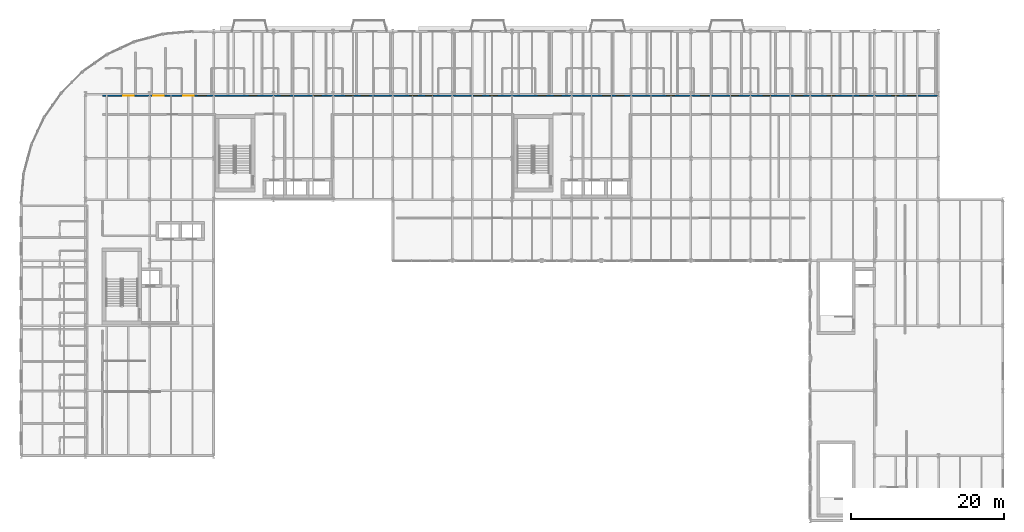
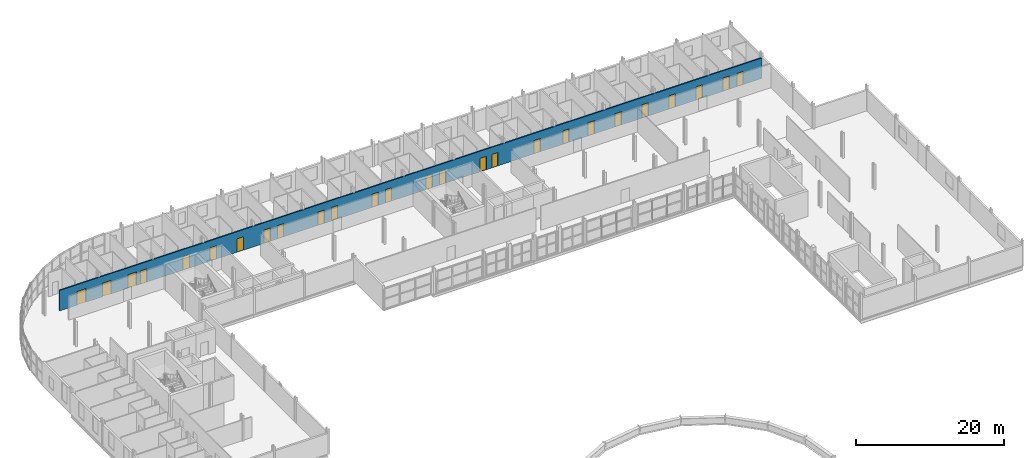
# One storey, part 36 of 45: 26 doors, 1 wall, 26 openings.
"""IFC4 building model written with IfcOpenShell, lengths in metres."""

from ifc_helpers import new_model, si_unit, direction, frame, frame_2d, origin, place, context, subcontext, project, spatial, rectangle, extrude, material, layer, layer_set, type_object, element, fill, save


model = new_model("IFC4")

# Units and contexts
model_context = context("Model", 3, precision=1e-05, world=origin(), true_north=direction((0.0, 1.0)))
body_context = subcontext(model_context, "Body", "Model", "MODEL_VIEW")
ifc_project = project(units=[si_unit("LENGTHUNIT", "METRE"), si_unit("AREAUNIT", "SQUARE_METRE"), si_unit("VOLUMEUNIT", "CUBIC_METRE"), si_unit("PLANEANGLEUNIT", "RADIAN"), si_unit("MASSUNIT", "GRAM", prefix="KILO")], contexts=[model_context])

# Site, building, storey
site_placement = place(None, origin())
site = spatial("IfcSite", under=ifc_project, at=site_placement, CompositionType="ELEMENT")
building_placement = place(site_placement, origin())
building = spatial("IfcBuilding", under=site, at=building_placement, Name="Sefraquen Railside Congress Hotel", CompositionType="ELEMENT")
storey_placement = place(building_placement, frame((0.0, 0.0, 20.39990234375)))
storey = spatial("IfcBuildingStorey", under=building, at=storey_placement, Name="L04", CompositionType="ELEMENT", Elevation=20.39990234375)

# Wall, openings, doors
ifc_material_1 = material(Name="Acoustic gypsum board on metal stud", Category="gypsum")
ifc_layer = layer(ifc_material_1, 0.199951171875)
ifc_layer_set = layer_set([ifc_layer], Name="Acoustic gypsum board on metal stud")
wall_type = type_object("IfcWallType", Name="TW-PW-200", PredefinedType="PARTITIONING", material=ifc_layer_set)
wall_placement = place(storey_placement, frame((10.64990234375, 109.60009765625, 0.0), z_axis=(0.0, 0.0, 1.0), x_axis=(1.0, 0.0, 0.0)))
wall = element("IfcWall", 1, at=wall_placement, inside=storey, type_object=wall_type, Name="Hotel L04 north corridor fire-rated partition", PredefinedType="PARTITIONING", context=body_context, shape_type="SweptSolid", body=[
    extrude(rectangle(XDim=109.210205078125, YDim=0.199951171875, at=frame_2d((54.60498046875, 0.0))), origin(), (0.0, 0.0, 1.0), 3.380126953125),
])
opening_1_placement = place(wall_placement, frame((12.534912109375, 0.0, 0.0)))
opening_1 = element("IfcOpeningElement", 2, at=opening_1_placement, cuts=wall, Name="Opening GD-01", PredefinedType="OPENING", context=body_context, shape_type="SweptSolid", body=[
    extrude(rectangle(XDim=1.02001953125, YDim=2.199951171875, at=frame_2d((0.510009765625, 1.10009765625))), frame((0.0, 0.10986328125, 0.0), z_axis=(0.0, -1.0, 0.0), x_axis=(1.0, 0.0, 0.0)), (0.0, 0.0, 1.0), 0.219970703125),
])
opening_2_placement = place(wall_placement, frame((19.175048828125, 0.0, 0.0)))
opening_2 = element("IfcOpeningElement", 3, at=opening_2_placement, cuts=wall, Name="Opening GD-01", PredefinedType="OPENING", context=body_context, shape_type="SweptSolid", body=[
    extrude(rectangle(XDim=1.02001953125, YDim=2.199951171875, at=frame_2d((0.510009765625, 1.10009765625))), frame((0.0, 0.10986328125, 0.0), z_axis=(0.0, -1.0, 0.0), x_axis=(1.0, 0.0, 0.0)), (0.0, 0.0, 1.0), 0.219970703125),
])
opening_3_placement = place(wall_placement, frame((23.375, 0.0, 0.0)))
opening_3 = element("IfcOpeningElement", 4, at=opening_3_placement, cuts=wall, Name="Opening GD-01", PredefinedType="OPENING", context=body_context, shape_type="SweptSolid", body=[
    extrude(rectangle(XDim=1.02001953125, YDim=2.199951171875, at=frame_2d((0.510009765625, 1.10009765625))), frame((0.0, 0.10986328125, 0.0), z_axis=(0.0, -1.0, 0.0), x_axis=(1.0, 0.0, 0.0)), (0.0, 0.0, 1.0), 0.219970703125),
])
opening_4_placement = place(wall_placement, frame((27.574951171875, 0.0, 0.0)))
opening_4 = element("IfcOpeningElement", 5, at=opening_4_placement, cuts=wall, Name="Opening GD-01", PredefinedType="OPENING", context=body_context, shape_type="SweptSolid", body=[
    extrude(rectangle(XDim=1.02001953125, YDim=2.199951171875, at=frame_2d((0.510009765625, 1.10009765625))), frame((0.0, 0.10986328125, 0.0), z_axis=(0.0, -1.0, 0.0), x_axis=(1.0, 0.0, 0.0)), (0.0, 0.0, 1.0), 0.219970703125),
])
opening_5_placement = place(wall_placement, frame((31.804931640625, 0.0, 0.0)))
opening_5 = element("IfcOpeningElement", 6, at=opening_5_placement, cuts=wall, Name="Opening GD-02", PredefinedType="OPENING", context=body_context, shape_type="SweptSolid", body=[
    extrude(rectangle(XDim=0.9599609375, YDim=2.199951171875, at=frame_2d((0.47998046875, 1.10009765625))), frame((0.0, 0.10986328125, 0.0), z_axis=(0.0, -1.0, 0.0), x_axis=(1.0, 0.0, 0.0)), (0.0, 0.0, 1.0), 0.219970703125),
])
opening_6_placement = place(wall_placement, frame((33.85498046875, 0.0, 0.0)))
opening_6 = element("IfcOpeningElement", 7, at=opening_6_placement, cuts=wall, Name="Opening GD-02", PredefinedType="OPENING", context=body_context, shape_type="SweptSolid", body=[
    extrude(rectangle(XDim=0.9599609375, YDim=2.199951171875, at=frame_2d((0.47998046875, 1.10009765625))), frame((0.0, 0.10986328125, 0.0), z_axis=(0.0, -1.0, 0.0), x_axis=(1.0, 0.0, 0.0)), (0.0, 0.0, 1.0), 0.219970703125),
])
opening_7_placement = place(wall_placement, frame((40.205078125, 0.0, 0.0)))
opening_7 = element("IfcOpeningElement", 8, at=opening_7_placement, cuts=wall, Name="Opening GD-02", PredefinedType="OPENING", context=body_context, shape_type="SweptSolid", body=[
    extrude(rectangle(XDim=0.9599609375, YDim=2.199951171875, at=frame_2d((0.47998046875, 1.10009765625))), frame((0.0, 0.10986328125, 0.0), z_axis=(0.0, -1.0, 0.0), x_axis=(1.0, 0.0, 0.0)), (0.0, 0.0, 1.0), 0.219970703125),
])
opening_8_placement = place(wall_placement, frame((42.2548828125, 0.0, 0.0)))
opening_8 = element("IfcOpeningElement", 9, at=opening_8_placement, cuts=wall, Name="Opening GD-02", PredefinedType="OPENING", context=body_context, shape_type="SweptSolid", body=[
    extrude(rectangle(XDim=0.9599609375, YDim=2.199951171875, at=frame_2d((0.47998046875, 1.10009765625))), frame((0.0, 0.10986328125, 0.0), z_axis=(0.0, -1.0, 0.0), x_axis=(1.0, 0.0, 0.0)), (0.0, 0.0, 1.0), 0.219970703125),
])
opening_9_placement = place(wall_placement, frame((48.60498046875, 0.0, 0.0)))
opening_9 = element("IfcOpeningElement", 10, at=opening_9_placement, cuts=wall, Name="Opening GD-02", PredefinedType="OPENING", context=body_context, shape_type="SweptSolid", body=[
    extrude(rectangle(XDim=0.9599609375, YDim=2.199951171875, at=frame_2d((0.47998046875, 1.10009765625))), frame((0.0, 0.10986328125, 0.0), z_axis=(0.0, -1.0, 0.0), x_axis=(1.0, 0.0, 0.0)), (0.0, 0.0, 1.0), 0.219970703125),
])
opening_10_placement = place(wall_placement, frame((50.655029296875, 0.0, 0.0)))
opening_10 = element("IfcOpeningElement", 11, at=opening_10_placement, cuts=wall, Name="Opening GD-02", PredefinedType="OPENING", context=body_context, shape_type="SweptSolid", body=[
    extrude(rectangle(XDim=0.9599609375, YDim=2.199951171875, at=frame_2d((0.47998046875, 1.10009765625))), frame((0.0, 0.10986328125, 0.0), z_axis=(0.0, -1.0, 0.0), x_axis=(1.0, 0.0, 0.0)), (0.0, 0.0, 1.0), 0.219970703125),
])
opening_11_placement = place(wall_placement, frame((57.0048828125, 0.0, 0.0)))
opening_11 = element("IfcOpeningElement", 12, at=opening_11_placement, cuts=wall, Name="Opening GD-02", PredefinedType="OPENING", context=body_context, shape_type="SweptSolid", body=[
    extrude(rectangle(XDim=0.9599609375, YDim=2.199951171875, at=frame_2d((0.47998046875, 1.10009765625))), frame((0.0, 0.10986328125, 0.0), z_axis=(0.0, -1.0, 0.0), x_axis=(1.0, 0.0, 0.0)), (0.0, 0.0, 1.0), 0.219970703125),
])
opening_12_placement = place(wall_placement, frame((59.054931640625, 0.0, 0.0)))
opening_12 = element("IfcOpeningElement", 13, at=opening_12_placement, cuts=wall, Name="Opening GD-02", PredefinedType="OPENING", context=body_context, shape_type="SweptSolid", body=[
    extrude(rectangle(XDim=0.9599609375, YDim=2.199951171875, at=frame_2d((0.47998046875, 1.10009765625))), frame((0.0, 0.10986328125, 0.0), z_axis=(0.0, -1.0, 0.0), x_axis=(1.0, 0.0, 0.0)), (0.0, 0.0, 1.0), 0.219970703125),
])
opening_13_placement = place(wall_placement, frame((65.405029296875, 0.0, 0.0)))
opening_13 = element("IfcOpeningElement", 14, at=opening_13_placement, cuts=wall, Name="Opening GD-02", PredefinedType="OPENING", context=body_context, shape_type="SweptSolid", body=[
    extrude(rectangle(XDim=0.9599609375, YDim=2.199951171875, at=frame_2d((0.47998046875, 1.10009765625))), frame((0.0, 0.10986328125, 0.0), z_axis=(0.0, -1.0, 0.0), x_axis=(1.0, 0.0, 0.0)), (0.0, 0.0, 1.0), 0.219970703125),
])
opening_14_placement = place(wall_placement, frame((67.205078125, 0.0, 0.0)))
opening_14 = element("IfcOpeningElement", 15, at=opening_14_placement, cuts=wall, Name="Opening GD-02", PredefinedType="OPENING", context=body_context, shape_type="SweptSolid", body=[
    extrude(rectangle(XDim=0.9599609375, YDim=2.199951171875, at=frame_2d((0.47998046875, 1.10009765625))), frame((0.0, 0.10986328125, 0.0), z_axis=(0.0, -1.0, 0.0), x_axis=(1.0, 0.0, 0.0)), (0.0, 0.0, 1.0), 0.219970703125),
])
opening_15_placement = place(wall_placement, frame((73.804931640625, 0.0, 0.0)))
opening_15 = element("IfcOpeningElement", 16, at=opening_15_placement, cuts=wall, Name="Opening GD-02", PredefinedType="OPENING", context=body_context, shape_type="SweptSolid", body=[
    extrude(rectangle(XDim=0.9599609375, YDim=2.199951171875, at=frame_2d((0.47998046875, 1.10009765625))), frame((0.0, 0.10986328125, 0.0), z_axis=(0.0, -1.0, 0.0), x_axis=(1.0, 0.0, 0.0)), (0.0, 0.0, 1.0), 0.219970703125),
])
opening_16_placement = place(wall_placement, frame((78.2548828125, 0.0, 0.0)))
opening_16 = element("IfcOpeningElement", 17, at=opening_16_placement, cuts=wall, Name="Opening GD-02", PredefinedType="OPENING", context=body_context, shape_type="SweptSolid", body=[
    extrude(rectangle(XDim=0.9599609375, YDim=2.199951171875, at=frame_2d((0.47998046875, 1.10009765625))), frame((0.0, 0.10986328125, 0.0), z_axis=(0.0, -1.0, 0.0), x_axis=(1.0, 0.0, 0.0)), (0.0, 0.0, 1.0), 0.219970703125),
])
opening_17_placement = place(wall_placement, frame((82.205078125, 0.0, 0.0)))
opening_17 = element("IfcOpeningElement", 18, at=opening_17_placement, cuts=wall, Name="Opening GD-02", PredefinedType="OPENING", context=body_context, shape_type="SweptSolid", body=[
    extrude(rectangle(XDim=0.9599609375, YDim=2.199951171875, at=frame_2d((0.47998046875, 1.10009765625))), frame((0.0, 0.10986328125, 0.0), z_axis=(0.0, -1.0, 0.0), x_axis=(1.0, 0.0, 0.0)), (0.0, 0.0, 1.0), 0.219970703125),
])
opening_18_placement = place(wall_placement, frame((86.405029296875, 0.0, 0.0)))
opening_18 = element("IfcOpeningElement", 19, at=opening_18_placement, cuts=wall, Name="Opening GD-02", PredefinedType="OPENING", context=body_context, shape_type="SweptSolid", body=[
    extrude(rectangle(XDim=0.9599609375, YDim=2.199951171875, at=frame_2d((0.47998046875, 1.10009765625))), frame((0.0, 0.10986328125, 0.0), z_axis=(0.0, -1.0, 0.0), x_axis=(1.0, 0.0, 0.0)), (0.0, 0.0, 1.0), 0.219970703125),
])
opening_19_placement = place(wall_placement, frame((90.60498046875, 0.0, 0.0)))
opening_19 = element("IfcOpeningElement", 20, at=opening_19_placement, cuts=wall, Name="Opening GD-02", PredefinedType="OPENING", context=body_context, shape_type="SweptSolid", body=[
    extrude(rectangle(XDim=0.9599609375, YDim=2.199951171875, at=frame_2d((0.47998046875, 1.10009765625))), frame((0.0, 0.10986328125, 0.0), z_axis=(0.0, -1.0, 0.0), x_axis=(1.0, 0.0, 0.0)), (0.0, 0.0, 1.0), 0.219970703125),
])
opening_20_placement = place(wall_placement, frame((94.804931640625, 0.0, 0.0)))
opening_20 = element("IfcOpeningElement", 21, at=opening_20_placement, cuts=wall, Name="Opening GD-02", PredefinedType="OPENING", context=body_context, shape_type="SweptSolid", body=[
    extrude(rectangle(XDim=0.9599609375, YDim=2.199951171875, at=frame_2d((0.47998046875, 1.10009765625))), frame((0.0, 0.10986328125, 0.0), z_axis=(0.0, -1.0, 0.0), x_axis=(1.0, 0.0, 0.0)), (0.0, 0.0, 1.0), 0.219970703125),
])
opening_21_placement = place(wall_placement, frame((99.0048828125, 0.0, 0.0)))
opening_21 = element("IfcOpeningElement", 22, at=opening_21_placement, cuts=wall, Name="Opening GD-02", PredefinedType="OPENING", context=body_context, shape_type="SweptSolid", body=[
    extrude(rectangle(XDim=0.9599609375, YDim=2.199951171875, at=frame_2d((0.47998046875, 1.10009765625))), frame((0.0, 0.10986328125, 0.0), z_axis=(0.0, -1.0, 0.0), x_axis=(1.0, 0.0, 0.0)), (0.0, 0.0, 1.0), 0.219970703125),
])
opening_22_placement = place(wall_placement, frame((103.205078125, 0.0, 0.0)))
opening_22 = element("IfcOpeningElement", 23, at=opening_22_placement, cuts=wall, Name="Opening GD-02", PredefinedType="OPENING", context=body_context, shape_type="SweptSolid", body=[
    extrude(rectangle(XDim=0.9599609375, YDim=2.199951171875, at=frame_2d((0.47998046875, 1.10009765625))), frame((0.0, 0.10986328125, 0.0), z_axis=(0.0, -1.0, 0.0), x_axis=(1.0, 0.0, 0.0)), (0.0, 0.0, 1.0), 0.219970703125),
])
opening_23_placement = place(wall_placement, frame((105.3349609375, 0.0, 0.0)))
opening_23 = element("IfcOpeningElement", 24, at=opening_23_placement, cuts=wall, Name="Opening GD-02", PredefinedType="OPENING", context=body_context, shape_type="SweptSolid", body=[
    extrude(rectangle(XDim=0.9599609375, YDim=2.199951171875, at=frame_2d((0.47998046875, 1.10009765625))), frame((0.0, 0.10986328125, 0.0), z_axis=(0.0, -1.0, 0.0), x_axis=(1.0, 0.0, 0.0)), (0.0, 0.0, 1.0), 0.219970703125),
])
opening_24_placement = place(wall_placement, frame((2.716064453125, 0.0, 0.0)))
opening_24 = element("IfcOpeningElement", 25, at=opening_24_placement, cuts=wall, Name="Opening GD-03", PredefinedType="OPENING", context=body_context, shape_type="SweptSolid", body=[
    extrude(rectangle(XDim=1.35009765625, YDim=2.25, at=frame_2d((0.675048828125, 1.125))), frame((0.0, 0.10986328125, 0.0), z_axis=(0.0, -1.0, 0.0), x_axis=(1.0, 0.0, 0.0)), (0.0, 0.0, 1.0), 0.219970703125),
])
opening_25_placement = place(wall_placement, frame((6.64990234375, 0.0, 0.0)))
opening_25 = element("IfcOpeningElement", 26, at=opening_25_placement, cuts=wall, Name="Opening GD-03", PredefinedType="OPENING", context=body_context, shape_type="SweptSolid", body=[
    extrude(rectangle(XDim=1.35009765625, YDim=2.25, at=frame_2d((0.675048828125, 1.125))), frame((0.0, 0.10986328125, 0.0), z_axis=(0.0, -1.0, 0.0), x_axis=(1.0, 0.0, 0.0)), (0.0, 0.0, 1.0), 0.219970703125),
])
opening_26_placement = place(wall_placement, frame((10.5830078125, 0.0, 0.0)))
opening_26 = element("IfcOpeningElement", 27, at=opening_26_placement, cuts=wall, Name="Opening GD-03", PredefinedType="OPENING", context=body_context, shape_type="SweptSolid", body=[
    extrude(rectangle(XDim=1.35009765625, YDim=2.25, at=frame_2d((0.675048828125, 1.125))), frame((0.0, 0.10986328125, 0.0), z_axis=(0.0, -1.0, 0.0), x_axis=(1.0, 0.0, 0.0)), (0.0, 0.0, 1.0), 0.219970703125),
])
ifc_material_2 = material(Name="Solid Atlas cedar timber fire leaf", Category="wood")
door_type_1 = type_object("IfcDoorType", Name="TD-GD-01", OperationType="NOTDEFINED", PredefinedType="DOOR", material=ifc_material_2)
door_1_placement = place(opening_1_placement, origin())
door_1 = element("IfcDoor", 28, at=door_1_placement, inside=storey, type_object=door_type_1, Name="Guest room entrance fire door RM-001", OperationType="SINGLE_SWING_LEFT", OverallHeight=2.199951171875, OverallWidth=1.02001953125, PredefinedType="DOOR", context=body_context, shape_type="SweptSolid", body=[
    extrude(rectangle(XDim=1.02001953125, YDim=2.199951171875, at=frame_2d((0.510009765625, 1.10009765625))), frame((0.0, 0.02490234375, 0.0), z_axis=(0.0, -1.0, 0.0), x_axis=(1.0, 0.0, 0.0)), (0.0, 0.0, 1.0), 0.050048828125),
])
fill(opening_1, door_1)
door_2_placement = place(opening_2_placement, origin())
door_2 = element("IfcDoor", 29, at=door_2_placement, inside=storey, type_object=door_type_1, Name="Guest room entrance fire door RM-002", OperationType="SINGLE_SWING_LEFT", OverallHeight=2.199951171875, OverallWidth=1.02001953125, PredefinedType="DOOR", context=body_context, shape_type="SweptSolid", body=[
    extrude(rectangle(XDim=1.02001953125, YDim=2.199951171875, at=frame_2d((0.510009765625, 1.10009765625))), frame((0.0, 0.02490234375, 0.0), z_axis=(0.0, -1.0, 0.0), x_axis=(1.0, 0.0, 0.0)), (0.0, 0.0, 1.0), 0.050048828125),
])
fill(opening_2, door_2)
door_3_placement = place(opening_3_placement, origin())
door_3 = element("IfcDoor", 30, at=door_3_placement, inside=storey, type_object=door_type_1, Name="Guest room entrance fire door RM-003", OperationType="SINGLE_SWING_LEFT", OverallHeight=2.199951171875, OverallWidth=1.02001953125, PredefinedType="DOOR", context=body_context, shape_type="SweptSolid", body=[
    extrude(rectangle(XDim=1.02001953125, YDim=2.199951171875, at=frame_2d((0.510009765625, 1.10009765625))), frame((0.0, 0.02490234375, 0.0), z_axis=(0.0, -1.0, 0.0), x_axis=(1.0, 0.0, 0.0)), (0.0, 0.0, 1.0), 0.050048828125),
])
fill(opening_3, door_3)
door_4_placement = place(opening_4_placement, origin())
door_4 = element("IfcDoor", 31, at=door_4_placement, inside=storey, type_object=door_type_1, Name="Guest room entrance fire door RM-004", OperationType="SINGLE_SWING_LEFT", OverallHeight=2.199951171875, OverallWidth=1.02001953125, PredefinedType="DOOR", context=body_context, shape_type="SweptSolid", body=[
    extrude(rectangle(XDim=1.02001953125, YDim=2.199951171875, at=frame_2d((0.510009765625, 1.10009765625))), frame((0.0, 0.02490234375, 0.0), z_axis=(0.0, -1.0, 0.0), x_axis=(1.0, 0.0, 0.0)), (0.0, 0.0, 1.0), 0.050048828125),
])
fill(opening_4, door_4)
door_type_2 = type_object("IfcDoorType", Name="TD-GD-02", OperationType="NOTDEFINED", PredefinedType="DOOR", material=ifc_material_2)
door_5_placement = place(opening_5_placement, origin())
door_5 = element("IfcDoor", 32, at=door_5_placement, inside=storey, type_object=door_type_2, Name="Guest room entrance fire door RM-005", OperationType="SINGLE_SWING_LEFT", OverallHeight=2.199951171875, OverallWidth=0.9599609375, PredefinedType="DOOR", context=body_context, shape_type="SweptSolid", body=[
    extrude(rectangle(XDim=0.9599609375, YDim=2.199951171875, at=frame_2d((0.47998046875, 1.10009765625))), frame((0.0, 0.02490234375, 0.0), z_axis=(0.0, -1.0, 0.0), x_axis=(1.0, 0.0, 0.0)), (0.0, 0.0, 1.0), 0.050048828125),
])
fill(opening_5, door_5)
door_6_placement = place(opening_6_placement, origin())
door_6 = element("IfcDoor", 33, at=door_6_placement, inside=storey, type_object=door_type_2, Name="Guest room entrance fire door RM-006", OperationType="SINGLE_SWING_LEFT", OverallHeight=2.199951171875, OverallWidth=0.9599609375, PredefinedType="DOOR", context=body_context, shape_type="SweptSolid", body=[
    extrude(rectangle(XDim=0.9599609375, YDim=2.199951171875, at=frame_2d((0.47998046875, 1.10009765625))), frame((0.0, 0.02490234375, 0.0), z_axis=(0.0, -1.0, 0.0), x_axis=(1.0, 0.0, 0.0)), (0.0, 0.0, 1.0), 0.050048828125),
])
fill(opening_6, door_6)
door_7_placement = place(opening_7_placement, origin())
door_7 = element("IfcDoor", 34, at=door_7_placement, inside=storey, type_object=door_type_2, Name="Guest room entrance fire door RM-007", OperationType="SINGLE_SWING_LEFT", OverallHeight=2.199951171875, OverallWidth=0.9599609375, PredefinedType="DOOR", context=body_context, shape_type="SweptSolid", body=[
    extrude(rectangle(XDim=0.9599609375, YDim=2.199951171875, at=frame_2d((0.47998046875, 1.10009765625))), frame((0.0, 0.02490234375, 0.0), z_axis=(0.0, -1.0, 0.0), x_axis=(1.0, 0.0, 0.0)), (0.0, 0.0, 1.0), 0.050048828125),
])
fill(opening_7, door_7)
door_8_placement = place(opening_8_placement, origin())
door_8 = element("IfcDoor", 35, at=door_8_placement, inside=storey, type_object=door_type_2, Name="Guest room entrance fire door RM-008", OperationType="SINGLE_SWING_LEFT", OverallHeight=2.199951171875, OverallWidth=0.9599609375, PredefinedType="DOOR", context=body_context, shape_type="SweptSolid", body=[
    extrude(rectangle(XDim=0.9599609375, YDim=2.199951171875, at=frame_2d((0.47998046875, 1.10009765625))), frame((0.0, 0.02490234375, 0.0), z_axis=(0.0, -1.0, 0.0), x_axis=(1.0, 0.0, 0.0)), (0.0, 0.0, 1.0), 0.050048828125),
])
fill(opening_8, door_8)
door_9_placement = place(opening_9_placement, origin())
door_9 = element("IfcDoor", 36, at=door_9_placement, inside=storey, type_object=door_type_2, Name="Guest room entrance fire door RM-009", OperationType="SINGLE_SWING_LEFT", OverallHeight=2.199951171875, OverallWidth=0.9599609375, PredefinedType="DOOR", context=body_context, shape_type="SweptSolid", body=[
    extrude(rectangle(XDim=0.9599609375, YDim=2.199951171875, at=frame_2d((0.47998046875, 1.10009765625))), frame((0.0, 0.02490234375, 0.0), z_axis=(0.0, -1.0, 0.0), x_axis=(1.0, 0.0, 0.0)), (0.0, 0.0, 1.0), 0.050048828125),
])
fill(opening_9, door_9)
door_10_placement = place(opening_10_placement, origin())
door_10 = element("IfcDoor", 37, at=door_10_placement, inside=storey, type_object=door_type_2, Name="Guest room entrance fire door RM-010", OperationType="SINGLE_SWING_LEFT", OverallHeight=2.199951171875, OverallWidth=0.9599609375, PredefinedType="DOOR", context=body_context, shape_type="SweptSolid", body=[
    extrude(rectangle(XDim=0.9599609375, YDim=2.199951171875, at=frame_2d((0.47998046875, 1.10009765625))), frame((0.0, 0.02490234375, 0.0), z_axis=(0.0, -1.0, 0.0), x_axis=(1.0, 0.0, 0.0)), (0.0, 0.0, 1.0), 0.050048828125),
])
fill(opening_10, door_10)
door_11_placement = place(opening_11_placement, origin())
door_11 = element("IfcDoor", 38, at=door_11_placement, inside=storey, type_object=door_type_2, Name="Guest room entrance fire door RM-011", OperationType="SINGLE_SWING_LEFT", OverallHeight=2.199951171875, OverallWidth=0.9599609375, PredefinedType="DOOR", context=body_context, shape_type="SweptSolid", body=[
    extrude(rectangle(XDim=0.9599609375, YDim=2.199951171875, at=frame_2d((0.47998046875, 1.10009765625))), frame((0.0, 0.02490234375, 0.0), z_axis=(0.0, -1.0, 0.0), x_axis=(1.0, 0.0, 0.0)), (0.0, 0.0, 1.0), 0.050048828125),
])
fill(opening_11, door_11)
door_12_placement = place(opening_12_placement, origin())
door_12 = element("IfcDoor", 39, at=door_12_placement, inside=storey, type_object=door_type_2, Name="Guest room entrance fire door RM-012", OperationType="SINGLE_SWING_LEFT", OverallHeight=2.199951171875, OverallWidth=0.9599609375, PredefinedType="DOOR", context=body_context, shape_type="SweptSolid", body=[
    extrude(rectangle(XDim=0.9599609375, YDim=2.199951171875, at=frame_2d((0.47998046875, 1.10009765625))), frame((0.0, 0.02490234375, 0.0), z_axis=(0.0, -1.0, 0.0), x_axis=(1.0, 0.0, 0.0)), (0.0, 0.0, 1.0), 0.050048828125),
])
fill(opening_12, door_12)
door_13_placement = place(opening_13_placement, origin())
door_13 = element("IfcDoor", 40, at=door_13_placement, inside=storey, type_object=door_type_2, Name="Guest room entrance fire door RM-013", OperationType="SINGLE_SWING_LEFT", OverallHeight=2.199951171875, OverallWidth=0.9599609375, PredefinedType="DOOR", context=body_context, shape_type="SweptSolid", body=[
    extrude(rectangle(XDim=0.9599609375, YDim=2.199951171875, at=frame_2d((0.47998046875, 1.10009765625))), frame((0.0, 0.02490234375, 0.0), z_axis=(0.0, -1.0, 0.0), x_axis=(1.0, 0.0, 0.0)), (0.0, 0.0, 1.0), 0.050048828125),
])
fill(opening_13, door_13)
door_14_placement = place(opening_14_placement, origin())
door_14 = element("IfcDoor", 41, at=door_14_placement, inside=storey, type_object=door_type_2, Name="Guest room entrance fire door RM-014", OperationType="SINGLE_SWING_LEFT", OverallHeight=2.199951171875, OverallWidth=0.9599609375, PredefinedType="DOOR", context=body_context, shape_type="SweptSolid", body=[
    extrude(rectangle(XDim=0.9599609375, YDim=2.199951171875, at=frame_2d((0.47998046875, 1.10009765625))), frame((0.0, 0.02490234375, 0.0), z_axis=(0.0, -1.0, 0.0), x_axis=(1.0, 0.0, 0.0)), (0.0, 0.0, 1.0), 0.050048828125),
])
fill(opening_14, door_14)
door_15_placement = place(opening_15_placement, origin())
door_15 = element("IfcDoor", 42, at=door_15_placement, inside=storey, type_object=door_type_2, Name="Guest room entrance fire door RM-015", OperationType="SINGLE_SWING_LEFT", OverallHeight=2.199951171875, OverallWidth=0.9599609375, PredefinedType="DOOR", context=body_context, shape_type="SweptSolid", body=[
    extrude(rectangle(XDim=0.9599609375, YDim=2.199951171875, at=frame_2d((0.47998046875, 1.10009765625))), frame((0.0, 0.02490234375, 0.0), z_axis=(0.0, -1.0, 0.0), x_axis=(1.0, 0.0, 0.0)), (0.0, 0.0, 1.0), 0.050048828125),
])
fill(opening_15, door_15)
door_16_placement = place(opening_16_placement, origin())
door_16 = element("IfcDoor", 43, at=door_16_placement, inside=storey, type_object=door_type_2, Name="Guest room entrance fire door RM-016", OperationType="SINGLE_SWING_LEFT", OverallHeight=2.199951171875, OverallWidth=0.9599609375, PredefinedType="DOOR", context=body_context, shape_type="SweptSolid", body=[
    extrude(rectangle(XDim=0.9599609375, YDim=2.199951171875, at=frame_2d((0.47998046875, 1.10009765625))), frame((0.0, 0.02490234375, 0.0), z_axis=(0.0, -1.0, 0.0), x_axis=(1.0, 0.0, 0.0)), (0.0, 0.0, 1.0), 0.050048828125),
])
fill(opening_16, door_16)
door_17_placement = place(opening_17_placement, origin())
door_17 = element("IfcDoor", 44, at=door_17_placement, inside=storey, type_object=door_type_2, Name="Guest room entrance fire door RM-017", OperationType="SINGLE_SWING_LEFT", OverallHeight=2.199951171875, OverallWidth=0.9599609375, PredefinedType="DOOR", context=body_context, shape_type="SweptSolid", body=[
    extrude(rectangle(XDim=0.9599609375, YDim=2.199951171875, at=frame_2d((0.47998046875, 1.10009765625))), frame((0.0, 0.02490234375, 0.0), z_axis=(0.0, -1.0, 0.0), x_axis=(1.0, 0.0, 0.0)), (0.0, 0.0, 1.0), 0.050048828125),
])
fill(opening_17, door_17)
door_18_placement = place(opening_18_placement, origin())
door_18 = element("IfcDoor", 45, at=door_18_placement, inside=storey, type_object=door_type_2, Name="Guest room entrance fire door RM-018", OperationType="SINGLE_SWING_LEFT", OverallHeight=2.199951171875, OverallWidth=0.9599609375, PredefinedType="DOOR", context=body_context, shape_type="SweptSolid", body=[
    extrude(rectangle(XDim=0.9599609375, YDim=2.199951171875, at=frame_2d((0.47998046875, 1.10009765625))), frame((0.0, 0.02490234375, 0.0), z_axis=(0.0, -1.0, 0.0), x_axis=(1.0, 0.0, 0.0)), (0.0, 0.0, 1.0), 0.050048828125),
])
fill(opening_18, door_18)
door_19_placement = place(opening_19_placement, origin())
door_19 = element("IfcDoor", 46, at=door_19_placement, inside=storey, type_object=door_type_2, Name="Guest room entrance fire door RM-019", OperationType="SINGLE_SWING_LEFT", OverallHeight=2.199951171875, OverallWidth=0.9599609375, PredefinedType="DOOR", context=body_context, shape_type="SweptSolid", body=[
    extrude(rectangle(XDim=0.9599609375, YDim=2.199951171875, at=frame_2d((0.47998046875, 1.10009765625))), frame((0.0, 0.02490234375, 0.0), z_axis=(0.0, -1.0, 0.0), x_axis=(1.0, 0.0, 0.0)), (0.0, 0.0, 1.0), 0.050048828125),
])
fill(opening_19, door_19)
door_20_placement = place(opening_20_placement, origin())
door_20 = element("IfcDoor", 47, at=door_20_placement, inside=storey, type_object=door_type_2, Name="Guest room entrance fire door RM-020", OperationType="SINGLE_SWING_LEFT", OverallHeight=2.199951171875, OverallWidth=0.9599609375, PredefinedType="DOOR", context=body_context, shape_type="SweptSolid", body=[
    extrude(rectangle(XDim=0.9599609375, YDim=2.199951171875, at=frame_2d((0.47998046875, 1.10009765625))), frame((0.0, 0.02490234375, 0.0), z_axis=(0.0, -1.0, 0.0), x_axis=(1.0, 0.0, 0.0)), (0.0, 0.0, 1.0), 0.050048828125),
])
fill(opening_20, door_20)
door_21_placement = place(opening_21_placement, origin())
door_21 = element("IfcDoor", 48, at=door_21_placement, inside=storey, type_object=door_type_2, Name="Guest room entrance fire door RM-021", OperationType="SINGLE_SWING_LEFT", OverallHeight=2.199951171875, OverallWidth=0.9599609375, PredefinedType="DOOR", context=body_context, shape_type="SweptSolid", body=[
    extrude(rectangle(XDim=0.9599609375, YDim=2.199951171875, at=frame_2d((0.47998046875, 1.10009765625))), frame((0.0, 0.02490234375, 0.0), z_axis=(0.0, -1.0, 0.0), x_axis=(1.0, 0.0, 0.0)), (0.0, 0.0, 1.0), 0.050048828125),
])
fill(opening_21, door_21)
door_22_placement = place(opening_22_placement, origin())
door_22 = element("IfcDoor", 49, at=door_22_placement, inside=storey, type_object=door_type_2, Name="Guest room entrance fire door RM-022", OperationType="SINGLE_SWING_LEFT", OverallHeight=2.199951171875, OverallWidth=0.9599609375, PredefinedType="DOOR", context=body_context, shape_type="SweptSolid", body=[
    extrude(rectangle(XDim=0.9599609375, YDim=2.199951171875, at=frame_2d((0.47998046875, 1.10009765625))), frame((0.0, 0.02490234375, 0.0), z_axis=(0.0, -1.0, 0.0), x_axis=(1.0, 0.0, 0.0)), (0.0, 0.0, 1.0), 0.050048828125),
])
fill(opening_22, door_22)
door_23_placement = place(opening_23_placement, origin())
door_23 = element("IfcDoor", 50, at=door_23_placement, inside=storey, type_object=door_type_2, Name="Guest room entrance fire door RM-023", OperationType="SINGLE_SWING_LEFT", OverallHeight=2.199951171875, OverallWidth=0.9599609375, PredefinedType="DOOR", context=body_context, shape_type="SweptSolid", body=[
    extrude(rectangle(XDim=0.9599609375, YDim=2.199951171875, at=frame_2d((0.47998046875, 1.10009765625))), frame((0.0, 0.02490234375, 0.0), z_axis=(0.0, -1.0, 0.0), x_axis=(1.0, 0.0, 0.0)), (0.0, 0.0, 1.0), 0.050048828125),
])
fill(opening_23, door_23)
door_type_3 = type_object("IfcDoorType", Name="TD-GD-03", OperationType="NOTDEFINED", PredefinedType="DOOR", material=ifc_material_2)
door_24_placement = place(opening_24_placement, origin())
door_24 = element("IfcDoor", 51, at=door_24_placement, inside=storey, type_object=door_type_3, Name="Guest room entrance fire door RM-032", OperationType="DOUBLE_SWING_LEFT", OverallHeight=2.25, OverallWidth=1.35009765625, PredefinedType="DOOR", context=body_context, shape_type="SweptSolid", body=[
    extrude(rectangle(XDim=1.35009765625, YDim=2.25, at=frame_2d((0.675048828125, 1.125))), frame((0.0, 0.02490234375, 0.0), z_axis=(0.0, -1.0, 0.0), x_axis=(1.0, 0.0, 0.0)), (0.0, 0.0, 1.0), 0.050048828125),
])
fill(opening_24, door_24)
door_25_placement = place(opening_25_placement, origin())
door_25 = element("IfcDoor", 52, at=door_25_placement, inside=storey, type_object=door_type_3, Name="Guest room entrance fire door RM-033", OperationType="DOUBLE_SWING_LEFT", OverallHeight=2.25, OverallWidth=1.35009765625, PredefinedType="DOOR", context=body_context, shape_type="SweptSolid", body=[
    extrude(rectangle(XDim=1.35009765625, YDim=2.25, at=frame_2d((0.675048828125, 1.125))), frame((0.0, 0.02490234375, 0.0), z_axis=(0.0, -1.0, 0.0), x_axis=(1.0, 0.0, 0.0)), (0.0, 0.0, 1.0), 0.050048828125),
])
fill(opening_25, door_25)
door_26_placement = place(opening_26_placement, origin())
door_26 = element("IfcDoor", 53, at=door_26_placement, inside=storey, type_object=door_type_3, Name="Guest room entrance fire door RM-034", OperationType="DOUBLE_SWING_LEFT", OverallHeight=2.25, OverallWidth=1.35009765625, PredefinedType="DOOR", context=body_context, shape_type="SweptSolid", body=[
    extrude(rectangle(XDim=1.35009765625, YDim=2.25, at=frame_2d((0.675048828125, 1.125))), frame((0.0, 0.02490234375, 0.0), z_axis=(0.0, -1.0, 0.0), x_axis=(1.0, 0.0, 0.0)), (0.0, 0.0, 1.0), 0.050048828125),
])
fill(opening_26, door_26)

save(model, "model.ifc")
